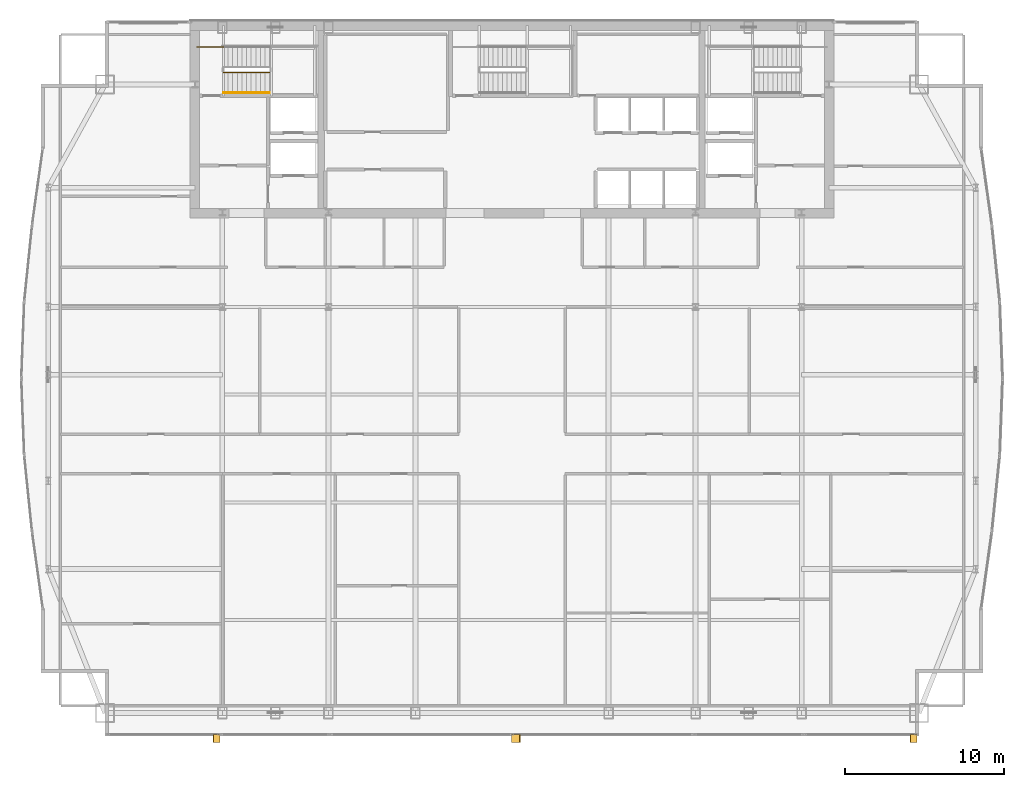
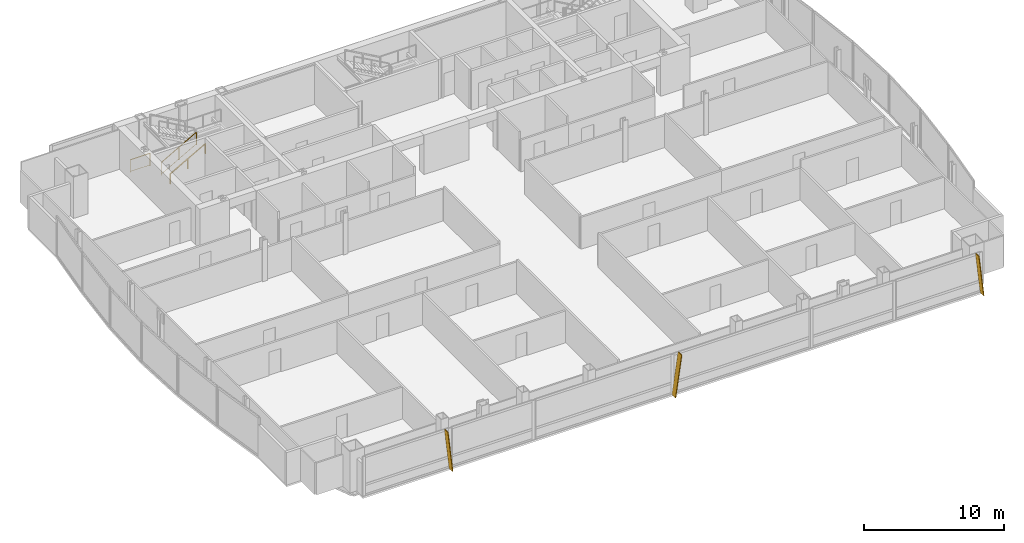
# One storey, part 31 of 32: 3 railings, 3 shading devices.
"""IFC4 building model written with IfcOpenShell, lengths in metres."""

from ifc_helpers import new_model, si_unit, direction, frame, origin, origin_2d, place, context, subcontext, project, spatial, polyline, rectangle, outline, extrude, material, layer, layer_set, type_object, element, save


model = new_model("IFC4")

# Units and contexts
model_context = context("Model", 3, precision=1e-05, world=origin(), true_north=direction((0.0, 1.0)))
body_context = subcontext(model_context, "Body", "Model", "MODEL_VIEW")
ifc_project = project(units=[si_unit("LENGTHUNIT", "METRE"), si_unit("AREAUNIT", "SQUARE_METRE"), si_unit("VOLUMEUNIT", "CUBIC_METRE"), si_unit("PLANEANGLEUNIT", "RADIAN"), si_unit("MASSUNIT", "GRAM", prefix="KILO")], contexts=[model_context])

# Site, building, storey
site_placement = place(None, origin())
site = spatial("IfcSite", under=ifc_project, at=site_placement, CompositionType="ELEMENT")
building_placement = place(site_placement, origin())
building = spatial("IfcBuilding", under=site, at=building_placement, Name="Khoronbel Lancet Exchange", CompositionType="ELEMENT")
storey_placement = place(building_placement, frame((0.0, 0.0, 228.199951171875)))
storey = spatial("IfcBuildingStorey", under=building, at=storey_placement, Name="L58", CompositionType="ELEMENT", Elevation=228.199951171875)

# Railings
ifc_material_1 = material(Name="Painted Steel Balustrade", Category="steel")
railing_type_1 = type_object("IfcRailingType", Name="RL-STG110", PredefinedType="GUARDRAIL", material=ifc_material_1)
railing_1_placement = place(storey_placement, frame((18.300048828125, 50.449951171875, 0.16357421875)))
element("IfcRailing", 1, at=railing_1_placement, inside=storey, type_object=railing_type_1, Name="L58 ST1 stair guard 1", PredefinedType="GUARDRAIL", context=body_context, shape_type="SweptSolid", body=[
    extrude(rectangle(XDim=0.048095703125, YDim=0.048095703125, at=origin_2d()), frame((0.0, 0.0, 1.09619140625), z_axis=(0.870897200241, 0.0, 0.491465224214), x_axis=(0.0, 1.0, 0.0)), (0.0, 0.0, 1.0), 3.329833984375),
    extrude(rectangle(XDim=0.02392578125, YDim=0.02392578125, at=origin_2d()), frame((0.0, 0.0, 0.080078125), z_axis=(0.870897200241, 0.0, 0.491465224214), x_axis=(0.0, 1.0, 0.0)), (0.0, 0.0, 1.0), 3.329833984375),
    extrude(rectangle(XDim=0.0419921875, YDim=0.0419921875, at=origin_2d()), origin(), (0.0, 0.0, 1.0), 1.072021484375),
    extrude(rectangle(XDim=0.0419921875, YDim=0.0419921875, at=origin_2d()), frame((1.449951171875, 0.0, 0.818359375)), (0.0, 0.0, 1.0), 1.072021484375),
    extrude(rectangle(XDim=0.0419921875, YDim=0.0419921875, at=origin_2d()), frame((2.89990234375, 0.0, 1.636474609375)), (0.0, 0.0, 1.0), 1.072021484375),
])
railing_2_placement = place(storey_placement, frame((16.64990234375, 52.050048828125, 0.0)))
element("IfcRailing", 2, at=railing_2_placement, inside=storey, type_object=railing_type_1, Name="L58 ST1 stair guard 6", PredefinedType="GUARDRAIL", context=body_context, shape_type="SweptSolid", body=[
    extrude(rectangle(XDim=0.048095703125, YDim=0.048095703125, at=origin_2d()), frame((0.0, 0.0, 1.09619140625), z_axis=(1.0, 0.0, 0.0), x_axis=(0.0, 1.0, 0.0)), (0.0, 0.0, 1.0), 1.650146484375),
    extrude(rectangle(XDim=0.02392578125, YDim=0.02392578125, at=origin_2d()), frame((0.0, 0.0, 0.080078125), z_axis=(1.0, 0.0, 0.0), x_axis=(0.0, 1.0, 0.0)), (0.0, 0.0, 1.0), 1.650146484375),
    extrude(rectangle(XDim=0.0419921875, YDim=0.0419921875, at=origin_2d()), origin(), (0.0, 0.0, 1.0), 1.072021484375),
    extrude(rectangle(XDim=0.0419921875, YDim=0.0419921875, at=origin_2d()), frame((1.650146484375, 0.0, 0.0)), (0.0, 0.0, 1.0), 1.072021484375),
])
ifc_material_2 = material(Name="Brushed Stainless Steel 316", Category="steel")
railing_type_2 = type_object("IfcRailingType", Name="RL-STH92", PredefinedType="HANDRAIL", material=ifc_material_2)
railing_3_placement = place(storey_placement, frame((18.300048828125, 49.169921875, 0.16357421875)))
element("IfcRailing", 3, at=railing_3_placement, inside=storey, type_object=railing_type_2, Name="L58 ST1 stair handrail 1", PredefinedType="HANDRAIL", context=body_context, shape_type="SweptSolid", body=[
    extrude(rectangle(XDim=0.048095703125, YDim=0.048095703125, at=origin_2d()), frame((0.0, 0.0, 0.8759765625), z_axis=(0.870897200241, 0.0, 0.491465224214), x_axis=(0.0, 1.0, 0.0)), (0.0, 0.0, 1.0), 3.329833984375),
    extrude(rectangle(XDim=0.0419921875, YDim=0.0419921875, at=origin_2d()), origin(), (0.0, 0.0, 1.0), 0.851806640625),
    extrude(rectangle(XDim=0.0419921875, YDim=0.0419921875, at=origin_2d()), frame((1.449951171875, 0.0, 0.818359375)), (0.0, 0.0, 1.0), 0.851806640625),
    extrude(rectangle(XDim=0.0419921875, YDim=0.0419921875, at=origin_2d()), frame((2.89990234375, 0.0, 1.636474609375)), (0.0, 0.0, 1.0), 0.851806640625),
])

# Shading devices
ifc_material_3 = material(Name="Bronze-Anodised Aluminium 6063-T6", Category="aluminium")
ifc_layer = layer(ifc_material_3, 0.054931640625, Name="Bronze-Anodised Aluminium 6063-T6")
ifc_layer_set = layer_set([ifc_layer], Name="Bronze-Anodised Aluminium 6063-T6")
shading_device_type = type_object("IfcShadingDeviceType", Name="SHD-FIN1", PredefinedType="USERDEFINED", material=ifc_layer_set)
shading_device_1_placement = place(storey_placement, frame((18.072509765625, 8.81005859375, -0.079833984375), z_axis=(0.99389951861, 0.0, 0.110289378034), x_axis=(0.0, -1.0, 0.0)))
element("IfcShadingDevice", 4, at=shading_device_1_placement, inside=storey, type_object=shading_device_type, Name="Slanted bronze solar fin CW-L58-SWV-1", ObjectType="FIN", PredefinedType="USERDEFINED", context=body_context, shape_type="SweptSolid", body=[
    extrude(outline(polyline([(0.0, 0.0), (0.52001953125, 0.0), (0.52001953125, -3.58154296875), (0.0, -3.58154296875), (0.0, 0.0)])), origin(), (0.0, 0.0, -1.0), 0.054931640625),
])
shading_device_2_placement = place(storey_placement, frame((36.422607421875, 8.81005859375, -0.079833984375), z_axis=(-0.990091586433, 0.0, 0.14042311232), x_axis=(0.0, -1.0, 0.0)))
element("IfcShadingDevice", 5, at=shading_device_2_placement, inside=storey, type_object=shading_device_type, Name="Slanted bronze solar fin CW-L58-SCV-1", ObjectType="FIN", PredefinedType="USERDEFINED", context=body_context, shape_type="SweptSolid", body=[
    extrude(outline(polyline([(0.0, 0.0), (0.52001953125, 0.0), (0.52001953125, 3.595458984375), (0.0, 3.595458984375), (0.0, 0.0)])), origin(), (0.0, 0.0, -1.0), 0.054931640625),
])
shading_device_3_placement = place(storey_placement, frame((61.9326171875, 8.81005859375, -0.079833984375), z_axis=(0.99389951861, 0.0, 0.110289378034), x_axis=(0.0, -1.0, 0.0)))
element("IfcShadingDevice", 6, at=shading_device_3_placement, inside=storey, type_object=shading_device_type, Name="Slanted bronze solar fin CW-L58-SEV-1", ObjectType="FIN", PredefinedType="USERDEFINED", context=body_context, shape_type="SweptSolid", body=[
    extrude(outline(polyline([(0.0, 0.0), (0.52001953125, 0.0), (0.52001953125, -3.58154296875), (0.0, -3.58154296875), (0.0, 0.0)])), origin(), (0.0, 0.0, -1.0), 0.054931640625),
])

save(model, "model.ifc")
